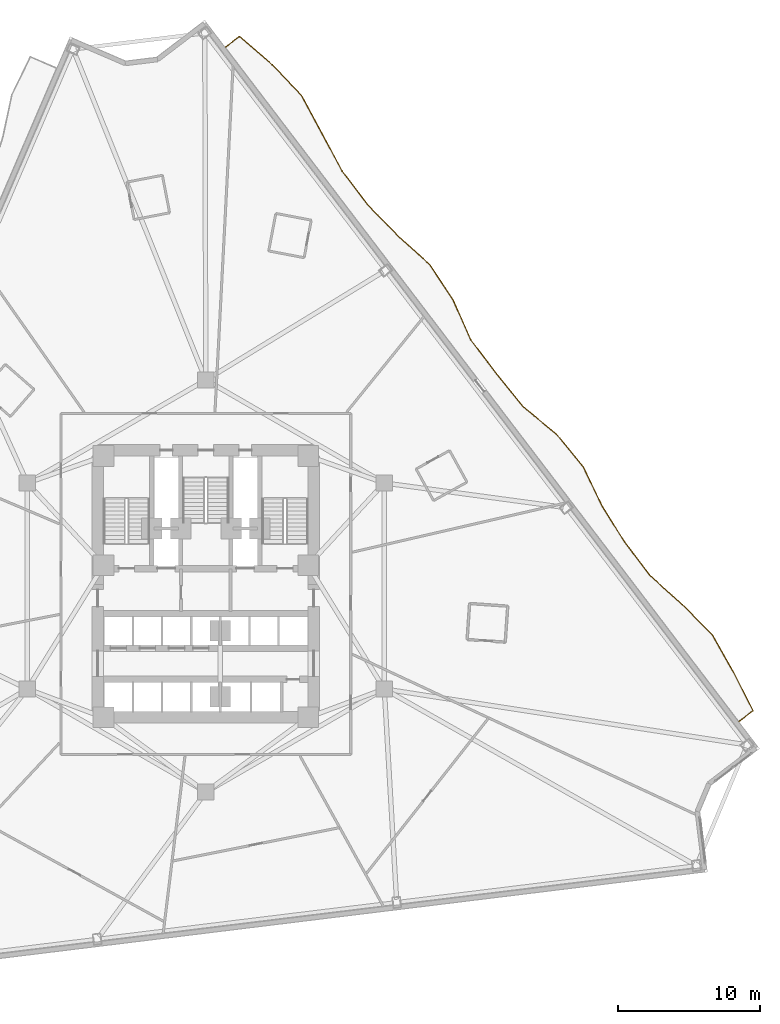
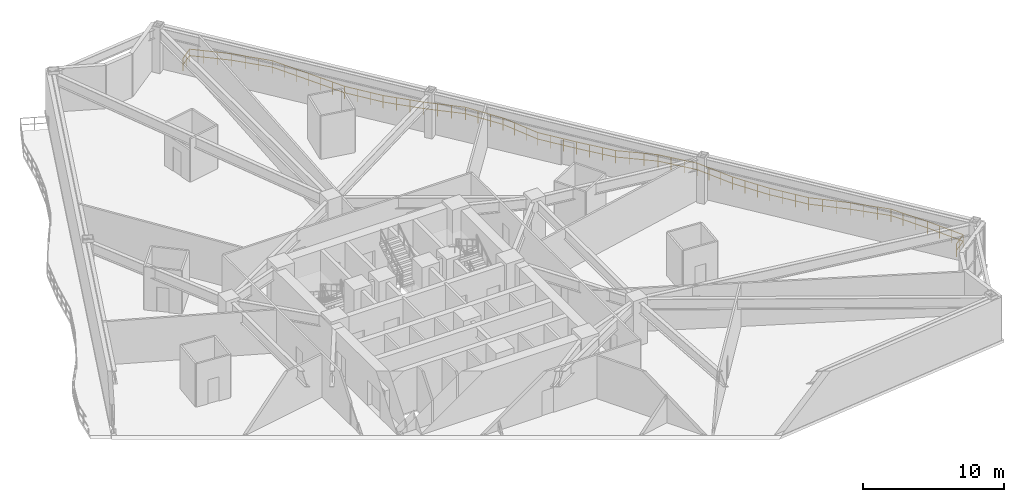
# One storey, part 14 of 14: 1 railing.
"""IFC4 building model written with IfcOpenShell, lengths in metres."""

from ifc_helpers import new_model, si_unit, direction, frame, origin, origin_2d, place, context, subcontext, project, spatial, rectangle, extrude, material, type_object, element, save


model = new_model("IFC4")

# Units and contexts
model_context = context("Model", 3, precision=1e-05, world=origin(), true_north=direction((0.0, 1.0)))
body_context = subcontext(model_context, "Body", "Model", "MODEL_VIEW")
ifc_project = project(units=[si_unit("LENGTHUNIT", "METRE"), si_unit("AREAUNIT", "SQUARE_METRE"), si_unit("VOLUMEUNIT", "CUBIC_METRE"), si_unit("PLANEANGLEUNIT", "RADIAN"), si_unit("MASSUNIT", "GRAM", prefix="KILO")], contexts=[model_context])

# Site, building, storey
site_placement = place(None, origin())
site = spatial("IfcSite", under=ifc_project, at=site_placement, CompositionType="ELEMENT")
building_placement = place(site_placement, origin())
building = spatial("IfcBuilding", under=site, at=building_placement, Name="Apsidion Concourse Tower", CompositionType="ELEMENT")
storey_placement = place(building_placement, frame((0.0, 0.0, 79.0)))
storey = spatial("IfcBuildingStorey", under=building, at=storey_placement, Name="L17", CompositionType="ELEMENT", Elevation=79.0)

# Railing
ifc_material = material(Name="Brushed stainless steel 316", Category="steel")
railing_type = type_object("IfcRailingType", Name="RL-BAL-1120", PredefinedType="BALUSTRADE", material=ifc_material)
railing_placement = place(storey_placement, frame((1.376708984375, 37.926513671875, 0.0)))
element("IfcRailing", 1, at=railing_placement, inside=storey, type_object=railing_type, Name="L17 Face 3 Rippling Balcony Balustrade", PredefinedType="BALUSTRADE", context=body_context, shape_type="SweptSolid", body=[
    extrude(rectangle(XDim=0.048095703125, YDim=0.048095703125, at=origin_2d()), frame((0.0, 0.0, 1.09619140625), z_axis=(0.795714098077, 0.605672414859, 0.0), x_axis=(-0.605672414859, 0.795714098077, 0.0)), (0.0, 0.0, 1.0), 1.25),
    extrude(rectangle(XDim=0.048095703125, YDim=0.048095703125, at=origin_2d()), frame((0.0, 0.0, 0.5361328125), z_axis=(0.795714098077, 0.605672414859, 0.0), x_axis=(-0.605672414859, 0.795714098077, 0.0)), (0.0, 0.0, 1.0), 1.25),
    extrude(rectangle(XDim=0.048095703125, YDim=0.048095703125, at=origin_2d()), frame((0.99462890625, 0.757080078125, 1.09619140625), z_axis=(0.75573930591, -0.654872584174, 0.0), x_axis=(0.654872584174, 0.75573930591, 0.0)), (0.0, 0.0, 1.0), 3.04736328125),
    extrude(rectangle(XDim=0.048095703125, YDim=0.048095703125, at=origin_2d()), frame((0.99462890625, 0.757080078125, 0.5361328125), z_axis=(0.75573930591, -0.654872584174, 0.0), x_axis=(0.654872584174, 0.75573930591, 0.0)), (0.0, 0.0, 1.0), 3.04736328125),
    extrude(rectangle(XDim=0.048095703125, YDim=0.048095703125, at=origin_2d()), frame((3.297607421875, -1.238525390625, 1.09619140625), z_axis=(0.687807846995, -0.725892805868, 0.0), x_axis=(0.725892805868, 0.687807846995, 0.0)), (0.0, 0.0, 1.0), 3.0),
    extrude(rectangle(XDim=0.048095703125, YDim=0.048095703125, at=origin_2d()), frame((3.297607421875, -1.238525390625, 0.5361328125), z_axis=(0.687807846995, -0.725892805868, 0.0), x_axis=(0.725892805868, 0.687807846995, 0.0)), (0.0, 0.0, 1.0), 3.0),
    extrude(rectangle(XDim=0.048095703125, YDim=0.048095703125, at=origin_2d()), frame((5.361083984375, -3.416259765625, 1.09619140625), z_axis=(0.47570475433, -0.879605017441, 0.0), x_axis=(0.879605017441, 0.47570475433, 0.0)), (0.0, 0.0, 1.0), 3.019287109375),
    extrude(rectangle(XDim=0.048095703125, YDim=0.048095703125, at=origin_2d()), frame((5.361083984375, -3.416259765625, 0.5361328125), z_axis=(0.47570475433, -0.879605017441, 0.0), x_axis=(0.879605017441, 0.47570475433, 0.0)), (0.0, 0.0, 1.0), 3.019287109375),
    extrude(rectangle(XDim=0.048095703125, YDim=0.048095703125, at=origin_2d()), frame((6.79736328125, -6.072021484375, 1.09619140625), z_axis=(0.472122733246, -0.881532826815, 0.0), x_axis=(0.881532826815, 0.472122733246, 0.0)), (0.0, 0.0, 1.0), 3.02099609375),
    extrude(rectangle(XDim=0.048095703125, YDim=0.048095703125, at=origin_2d()), frame((6.79736328125, -6.072021484375, 0.5361328125), z_axis=(0.472122733246, -0.881532826815, 0.0), x_axis=(0.881532826815, 0.472122733246, 0.0)), (0.0, 0.0, 1.0), 3.02099609375),
    extrude(rectangle(XDim=0.048095703125, YDim=0.048095703125, at=origin_2d()), frame((8.2236328125, -8.735107421875, 1.09619140625), z_axis=(0.605902647508, -0.795538799646, 0.0), x_axis=(0.795538799646, 0.605902647508, 0.0)), (0.0, 0.0, 1.0), 2.98291015625),
    extrude(rectangle(XDim=0.048095703125, YDim=0.048095703125, at=origin_2d()), frame((8.2236328125, -8.735107421875, 0.5361328125), z_axis=(0.605902647508, -0.795538799646, 0.0), x_axis=(0.795538799646, 0.605902647508, 0.0)), (0.0, 0.0, 1.0), 2.98291015625),
    extrude(rectangle(XDim=0.048095703125, YDim=0.048095703125, at=origin_2d()), frame((10.031005859375, -11.108154296875, 1.09619140625), z_axis=(0.697042424613, -0.717029886608, 0.0), x_axis=(0.717029886608, 0.697042424613, 0.0)), (0.0, 0.0, 1.0), 3.0048828125),
    extrude(rectangle(XDim=0.048095703125, YDim=0.048095703125, at=origin_2d()), frame((10.031005859375, -11.108154296875, 0.5361328125), z_axis=(0.697042424613, -0.717029886608, 0.0), x_axis=(0.717029886608, 0.697042424613, 0.0)), (0.0, 0.0, 1.0), 3.0048828125),
    extrude(rectangle(XDim=0.048095703125, YDim=0.048095703125, at=origin_2d()), frame((12.12548828125, -13.2626953125, 1.09619140625), z_axis=(0.742036806887, -0.67035914048, 0.0), x_axis=(0.67035914048, 0.742036806887, 0.0)), (0.0, 0.0, 1.0), 3.034912109375),
    extrude(rectangle(XDim=0.048095703125, YDim=0.048095703125, at=origin_2d()), frame((12.12548828125, -13.2626953125, 0.5361328125), z_axis=(0.742036806887, -0.67035914048, 0.0), x_axis=(0.67035914048, 0.742036806887, 0.0)), (0.0, 0.0, 1.0), 3.034912109375),
    extrude(rectangle(XDim=0.048095703125, YDim=0.048095703125, at=origin_2d()), frame((14.37744140625, -15.297119140625, 1.09619140625), z_axis=(0.551662255517, -0.834067596684, 0.0), x_axis=(0.834067596684, 0.551662255517, 0.0)), (0.0, 0.0, 1.0), 2.989501953125),
    extrude(rectangle(XDim=0.048095703125, YDim=0.048095703125, at=origin_2d()), frame((14.37744140625, -15.297119140625, 0.5361328125), z_axis=(0.551662255517, -0.834067596684, 0.0), x_axis=(0.834067596684, 0.551662255517, 0.0)), (0.0, 0.0, 1.0), 2.989501953125),
    extrude(rectangle(XDim=0.048095703125, YDim=0.048095703125, at=origin_2d()), frame((16.026611328125, -17.79052734375, 1.09619140625), z_axis=(0.404135969657, -0.914698922066, 0.0), x_axis=(0.914698922066, 0.404135969657, 0.0)), (0.0, 0.0, 1.0), 3.067138671875),
    extrude(rectangle(XDim=0.048095703125, YDim=0.048095703125, at=origin_2d()), frame((16.026611328125, -17.79052734375, 0.5361328125), z_axis=(0.404135969657, -0.914698922066, 0.0), x_axis=(0.914698922066, 0.404135969657, 0.0)), (0.0, 0.0, 1.0), 3.067138671875),
    extrude(rectangle(XDim=0.048095703125, YDim=0.048095703125, at=origin_2d()), frame((17.26611328125, -20.595947265625, 1.09619140625), z_axis=(0.603856112206, -0.797093341932, 0.0), x_axis=(0.797093341932, 0.603856112206, 0.0)), (0.0, 0.0, 1.0), 2.98291015625),
    extrude(rectangle(XDim=0.048095703125, YDim=0.048095703125, at=origin_2d()), frame((17.26611328125, -20.595947265625, 0.5361328125), z_axis=(0.603856112206, -0.797093341932, 0.0), x_axis=(0.797093341932, 0.603856112206, 0.0)), (0.0, 0.0, 1.0), 2.98291015625),
    extrude(rectangle(XDim=0.048095703125, YDim=0.048095703125, at=origin_2d()), frame((19.0673828125, -22.9736328125, 1.09619140625), z_axis=(0.629045241006, -0.777368692943, 0.0), x_axis=(0.777368692943, 0.629045241006, 0.0)), (0.0, 0.0, 1.0), 2.984130859375),
    extrude(rectangle(XDim=0.048095703125, YDim=0.048095703125, at=origin_2d()), frame((19.0673828125, -22.9736328125, 0.5361328125), z_axis=(0.629045241006, -0.777368692943, 0.0), x_axis=(0.777368692943, 0.629045241006, 0.0)), (0.0, 0.0, 1.0), 2.984130859375),
    extrude(rectangle(XDim=0.048095703125, YDim=0.048095703125, at=origin_2d()), frame((20.944580078125, -25.29345703125, 1.09619140625), z_axis=(0.770737099773, -0.637153296338, 0.0), x_axis=(0.637153296338, 0.770737099773, 0.0)), (0.0, 0.0, 1.0), 3.06298828125),
    extrude(rectangle(XDim=0.048095703125, YDim=0.048095703125, at=origin_2d()), frame((20.944580078125, -25.29345703125, 0.5361328125), z_axis=(0.770737099773, -0.637153296338, 0.0), x_axis=(0.637153296338, 0.770737099773, 0.0)), (0.0, 0.0, 1.0), 3.06298828125),
    extrude(rectangle(XDim=0.048095703125, YDim=0.048095703125, at=origin_2d()), frame((23.305419921875, -27.2451171875, 1.09619140625), z_axis=(0.633344685626, -0.773869827031, 0.0), x_axis=(0.773869827031, 0.633344685626, 0.0)), (0.0, 0.0, 1.0), 2.98486328125),
    extrude(rectangle(XDim=0.048095703125, YDim=0.048095703125, at=origin_2d()), frame((23.305419921875, -27.2451171875, 0.5361328125), z_axis=(0.633344685626, -0.773869827031, 0.0), x_axis=(0.773869827031, 0.633344685626, 0.0)), (0.0, 0.0, 1.0), 2.98486328125),
    extrude(rectangle(XDim=0.048095703125, YDim=0.048095703125, at=origin_2d()), frame((25.19580078125, -29.554931640625, 1.09619140625), z_axis=(0.432983853981, -0.901401676386, 0.0), x_axis=(0.901401676386, 0.432983853981, 0.0)), (0.0, 0.0, 1.0), 3.04541015625),
    extrude(rectangle(XDim=0.048095703125, YDim=0.048095703125, at=origin_2d()), frame((25.19580078125, -29.554931640625, 0.5361328125), z_axis=(0.432983853981, -0.901401676386, 0.0), x_axis=(0.901401676386, 0.432983853981, 0.0)), (0.0, 0.0, 1.0), 3.04541015625),
    extrude(rectangle(XDim=0.048095703125, YDim=0.048095703125, at=origin_2d()), frame((26.514404296875, -32.300048828125, 1.09619140625), z_axis=(0.530584902819, -0.847631795593, 0.0), x_axis=(0.847631795593, 0.530584902819, 0.0)), (0.0, 0.0, 1.0), 2.995361328125),
    extrude(rectangle(XDim=0.048095703125, YDim=0.048095703125, at=origin_2d()), frame((26.514404296875, -32.300048828125, 0.5361328125), z_axis=(0.530584902819, -0.847631795593, 0.0), x_axis=(0.847631795593, 0.530584902819, 0.0)), (0.0, 0.0, 1.0), 2.995361328125),
    extrude(rectangle(XDim=0.048095703125, YDim=0.048095703125, at=origin_2d()), frame((28.103759765625, -34.839111328125, 1.09619140625), z_axis=(0.605902647508, -0.795538799646, 0.0), x_axis=(0.795538799646, 0.605902647508, 0.0)), (0.0, 0.0, 1.0), 2.98291015625),
    extrude(rectangle(XDim=0.048095703125, YDim=0.048095703125, at=origin_2d()), frame((28.103759765625, -34.839111328125, 0.5361328125), z_axis=(0.605902647508, -0.795538799646, 0.0), x_axis=(0.795538799646, 0.605902647508, 0.0)), (0.0, 0.0, 1.0), 2.98291015625),
    extrude(rectangle(XDim=0.048095703125, YDim=0.048095703125, at=origin_2d()), frame((29.9111328125, -37.212158203125, 1.09619140625), z_axis=(0.742413608308, -0.66994181404, 0.0), x_axis=(0.66994181404, 0.742413608308, 0.0)), (0.0, 0.0, 1.0), 3.03515625),
    extrude(rectangle(XDim=0.048095703125, YDim=0.048095703125, at=origin_2d()), frame((29.9111328125, -37.212158203125, 0.5361328125), z_axis=(0.742413608308, -0.66994181404, 0.0), x_axis=(0.66994181404, 0.742413608308, 0.0)), (0.0, 0.0, 1.0), 3.03515625),
    extrude(rectangle(XDim=0.048095703125, YDim=0.048095703125, at=origin_2d()), frame((32.16455078125, -39.24560546875, 1.09619140625), z_axis=(0.703730656507, -0.710466862768, 0.0), x_axis=(0.710466862768, 0.703730656507, 0.0)), (0.0, 0.0, 1.0), 3.008056640625),
    extrude(rectangle(XDim=0.048095703125, YDim=0.048095703125, at=origin_2d()), frame((32.16455078125, -39.24560546875, 0.5361328125), z_axis=(0.703730656507, -0.710466862768, 0.0), x_axis=(0.710466862768, 0.703730656507, 0.0)), (0.0, 0.0, 1.0), 3.008056640625),
    extrude(rectangle(XDim=0.048095703125, YDim=0.048095703125, at=origin_2d()), frame((34.281494140625, -41.3828125, 1.09619140625), z_axis=(0.493254013229, -0.869885324875, 0.0), x_axis=(0.869885324875, 0.493254013229, 0.0)), (0.0, 0.0, 1.0), 3.01025390625),
    extrude(rectangle(XDim=0.048095703125, YDim=0.048095703125, at=origin_2d()), frame((34.281494140625, -41.3828125, 0.5361328125), z_axis=(0.493254013229, -0.869885324875, 0.0), x_axis=(0.869885324875, 0.493254013229, 0.0)), (0.0, 0.0, 1.0), 3.01025390625),
    extrude(rectangle(XDim=0.048095703125, YDim=0.048095703125, at=origin_2d()), frame((35.766357421875, -44.00146484375, 1.09619140625), z_axis=(0.453065583312, -0.891477188277, 0.0), x_axis=(0.891477188277, 0.453065583312, 0.0)), (0.0, 0.0, 1.0), 3.0322265625),
    extrude(rectangle(XDim=0.048095703125, YDim=0.048095703125, at=origin_2d()), frame((35.766357421875, -44.00146484375, 0.5361328125), z_axis=(0.453065583312, -0.891477188277, 0.0), x_axis=(0.891477188277, 0.453065583312, 0.0)), (0.0, 0.0, 1.0), 3.0322265625),
    extrude(rectangle(XDim=0.048095703125, YDim=0.048095703125, at=origin_2d()), frame((37.14013671875, -46.70458984375, 1.09619140625), z_axis=(-0.795548282265, -0.605890196805, 0.0), x_axis=(0.605890196805, -0.795548282265, 0.0)), (0.0, 0.0, 1.0), 1.25),
    extrude(rectangle(XDim=0.048095703125, YDim=0.048095703125, at=origin_2d()), frame((37.14013671875, -46.70458984375, 0.5361328125), z_axis=(-0.795548282265, -0.605890196805, 0.0), x_axis=(0.605890196805, -0.795548282265, 0.0)), (0.0, 0.0, 1.0), 1.25),
    extrude(rectangle(XDim=0.0419921875, YDim=0.0419921875, at=origin_2d()), origin(), (0.0, 0.0, 1.0), 1.072021484375),
    extrude(rectangle(XDim=0.0419921875, YDim=0.0419921875, at=origin_2d()), frame((0.497314453125, 0.37841796875, 0.0)), (0.0, 0.0, 1.0), 1.072021484375),
    extrude(rectangle(XDim=0.0419921875, YDim=0.0419921875, at=origin_2d()), frame((0.99462890625, 0.757080078125, 0.0)), (0.0, 0.0, 1.0), 1.072021484375),
    extrude(rectangle(XDim=0.0419921875, YDim=0.0419921875, at=origin_2d()), frame((1.76220703125, 0.091796875, 0.0)), (0.0, 0.0, 1.0), 1.072021484375),
    extrude(rectangle(XDim=0.0419921875, YDim=0.0419921875, at=origin_2d()), frame((2.530029296875, -0.5732421875, 0.0)), (0.0, 0.0, 1.0), 1.072021484375),
    extrude(rectangle(XDim=0.0419921875, YDim=0.0419921875, at=origin_2d()), frame((3.297607421875, -1.238525390625, 0.0)), (0.0, 0.0, 1.0), 1.072021484375),
    extrude(rectangle(XDim=0.0419921875, YDim=0.0419921875, at=origin_2d()), frame((3.9853515625, -1.96435546875, 0.0)), (0.0, 0.0, 1.0), 1.072021484375),
    extrude(rectangle(XDim=0.0419921875, YDim=0.0419921875, at=origin_2d()), frame((4.67333984375, -2.6904296875, 0.0)), (0.0, 0.0, 1.0), 1.072021484375),
    extrude(rectangle(XDim=0.0419921875, YDim=0.0419921875, at=origin_2d()), frame((5.361083984375, -3.416259765625, 0.0)), (0.0, 0.0, 1.0), 1.072021484375),
    extrude(rectangle(XDim=0.0419921875, YDim=0.0419921875, at=origin_2d()), frame((5.83984375, -4.301513671875, 0.0)), (0.0, 0.0, 1.0), 1.072021484375),
    extrude(rectangle(XDim=0.0419921875, YDim=0.0419921875, at=origin_2d()), frame((6.318603515625, -5.186767578125, 0.0)), (0.0, 0.0, 1.0), 1.072021484375),
    extrude(rectangle(XDim=0.0419921875, YDim=0.0419921875, at=origin_2d()), frame((6.79736328125, -6.072021484375, 0.0)), (0.0, 0.0, 1.0), 1.072021484375),
    extrude(rectangle(XDim=0.0419921875, YDim=0.0419921875, at=origin_2d()), frame((7.272705078125, -6.959716796875, 0.0)), (0.0, 0.0, 1.0), 1.072021484375),
    extrude(rectangle(XDim=0.0419921875, YDim=0.0419921875, at=origin_2d()), frame((7.748291015625, -7.847412109375, 0.0)), (0.0, 0.0, 1.0), 1.072021484375),
    extrude(rectangle(XDim=0.0419921875, YDim=0.0419921875, at=origin_2d()), frame((8.2236328125, -8.735107421875, 0.0)), (0.0, 0.0, 1.0), 1.072021484375),
    extrude(rectangle(XDim=0.0419921875, YDim=0.0419921875, at=origin_2d()), frame((8.826171875, -9.526123046875, 0.0)), (0.0, 0.0, 1.0), 1.072021484375),
    extrude(rectangle(XDim=0.0419921875, YDim=0.0419921875, at=origin_2d()), frame((9.428466796875, -10.317138671875, 0.0)), (0.0, 0.0, 1.0), 1.072021484375),
    extrude(rectangle(XDim=0.0419921875, YDim=0.0419921875, at=origin_2d()), frame((10.031005859375, -11.108154296875, 0.0)), (0.0, 0.0, 1.0), 1.072021484375),
    extrude(rectangle(XDim=0.0419921875, YDim=0.0419921875, at=origin_2d()), frame((10.729248046875, -11.826416015625, 0.0)), (0.0, 0.0, 1.0), 1.072021484375),
    extrude(rectangle(XDim=0.0419921875, YDim=0.0419921875, at=origin_2d()), frame((11.42724609375, -12.54443359375, 0.0)), (0.0, 0.0, 1.0), 1.072021484375),
    extrude(rectangle(XDim=0.0419921875, YDim=0.0419921875, at=origin_2d()), frame((12.12548828125, -13.2626953125, 0.0)), (0.0, 0.0, 1.0), 1.072021484375),
    extrude(rectangle(XDim=0.0419921875, YDim=0.0419921875, at=origin_2d()), frame((12.876220703125, -13.94091796875, 0.0)), (0.0, 0.0, 1.0), 1.072021484375),
    extrude(rectangle(XDim=0.0419921875, YDim=0.0419921875, at=origin_2d()), frame((13.626708984375, -14.618896484375, 0.0)), (0.0, 0.0, 1.0), 1.072021484375),
    extrude(rectangle(XDim=0.0419921875, YDim=0.0419921875, at=origin_2d()), frame((14.37744140625, -15.297119140625, 0.0)), (0.0, 0.0, 1.0), 1.072021484375),
    extrude(rectangle(XDim=0.0419921875, YDim=0.0419921875, at=origin_2d()), frame((14.92724609375, -16.128173828125, 0.0)), (0.0, 0.0, 1.0), 1.072021484375),
    extrude(rectangle(XDim=0.0419921875, YDim=0.0419921875, at=origin_2d()), frame((15.476806640625, -16.95947265625, 0.0)), (0.0, 0.0, 1.0), 1.072021484375),
    extrude(rectangle(XDim=0.0419921875, YDim=0.0419921875, at=origin_2d()), frame((16.026611328125, -17.79052734375, 0.0)), (0.0, 0.0, 1.0), 1.072021484375),
    extrude(rectangle(XDim=0.0419921875, YDim=0.0419921875, at=origin_2d()), frame((16.439697265625, -18.7255859375, 0.0)), (0.0, 0.0, 1.0), 1.072021484375),
    extrude(rectangle(XDim=0.0419921875, YDim=0.0419921875, at=origin_2d()), frame((16.85302734375, -19.660888671875, 0.0)), (0.0, 0.0, 1.0), 1.072021484375),
    extrude(rectangle(XDim=0.0419921875, YDim=0.0419921875, at=origin_2d()), frame((17.26611328125, -20.595947265625, 0.0)), (0.0, 0.0, 1.0), 1.072021484375),
    extrude(rectangle(XDim=0.0419921875, YDim=0.0419921875, at=origin_2d()), frame((17.866455078125, -21.388427734375, 0.0)), (0.0, 0.0, 1.0), 1.072021484375),
    extrude(rectangle(XDim=0.0419921875, YDim=0.0419921875, at=origin_2d()), frame((18.467041015625, -22.18115234375, 0.0)), (0.0, 0.0, 1.0), 1.072021484375),
    extrude(rectangle(XDim=0.0419921875, YDim=0.0419921875, at=origin_2d()), frame((19.0673828125, -22.9736328125, 0.0)), (0.0, 0.0, 1.0), 1.072021484375),
    extrude(rectangle(XDim=0.0419921875, YDim=0.0419921875, at=origin_2d()), frame((19.693115234375, -23.746826171875, 0.0)), (0.0, 0.0, 1.0), 1.072021484375),
    extrude(rectangle(XDim=0.0419921875, YDim=0.0419921875, at=origin_2d()), frame((20.31884765625, -24.520263671875, 0.0)), (0.0, 0.0, 1.0), 1.072021484375),
    extrude(rectangle(XDim=0.0419921875, YDim=0.0419921875, at=origin_2d()), frame((20.944580078125, -25.29345703125, 0.0)), (0.0, 0.0, 1.0), 1.072021484375),
    extrude(rectangle(XDim=0.0419921875, YDim=0.0419921875, at=origin_2d()), frame((21.7314453125, -25.944091796875, 0.0)), (0.0, 0.0, 1.0), 1.072021484375),
    extrude(rectangle(XDim=0.0419921875, YDim=0.0419921875, at=origin_2d()), frame((22.5185546875, -26.594482421875, 0.0)), (0.0, 0.0, 1.0), 1.072021484375),
    extrude(rectangle(XDim=0.0419921875, YDim=0.0419921875, at=origin_2d()), frame((23.305419921875, -27.2451171875, 0.0)), (0.0, 0.0, 1.0), 1.072021484375),
    extrude(rectangle(XDim=0.0419921875, YDim=0.0419921875, at=origin_2d()), frame((23.935546875, -28.01513671875, 0.0)), (0.0, 0.0, 1.0), 1.072021484375),
    extrude(rectangle(XDim=0.0419921875, YDim=0.0419921875, at=origin_2d()), frame((24.565673828125, -28.784912109375, 0.0)), (0.0, 0.0, 1.0), 1.072021484375),
    extrude(rectangle(XDim=0.0419921875, YDim=0.0419921875, at=origin_2d()), frame((25.19580078125, -29.554931640625, 0.0)), (0.0, 0.0, 1.0), 1.072021484375),
    extrude(rectangle(XDim=0.0419921875, YDim=0.0419921875, at=origin_2d()), frame((25.63525390625, -30.469970703125, 0.0)), (0.0, 0.0, 1.0), 1.072021484375),
    extrude(rectangle(XDim=0.0419921875, YDim=0.0419921875, at=origin_2d()), frame((26.074951171875, -31.385009765625, 0.0)), (0.0, 0.0, 1.0), 1.072021484375),
    extrude(rectangle(XDim=0.0419921875, YDim=0.0419921875, at=origin_2d()), frame((26.514404296875, -32.300048828125, 0.0)), (0.0, 0.0, 1.0), 1.072021484375),
    extrude(rectangle(XDim=0.0419921875, YDim=0.0419921875, at=origin_2d()), frame((27.044189453125, -33.146484375, 0.0)), (0.0, 0.0, 1.0), 1.072021484375),
    extrude(rectangle(XDim=0.0419921875, YDim=0.0419921875, at=origin_2d()), frame((27.573974609375, -33.99267578125, 0.0)), (0.0, 0.0, 1.0), 1.072021484375),
    extrude(rectangle(XDim=0.0419921875, YDim=0.0419921875, at=origin_2d()), frame((28.103759765625, -34.839111328125, 0.0)), (0.0, 0.0, 1.0), 1.072021484375),
    extrude(rectangle(XDim=0.0419921875, YDim=0.0419921875, at=origin_2d()), frame((28.706298828125, -35.630126953125, 0.0)), (0.0, 0.0, 1.0), 1.072021484375),
    extrude(rectangle(XDim=0.0419921875, YDim=0.0419921875, at=origin_2d()), frame((29.30859375, -36.421142578125, 0.0)), (0.0, 0.0, 1.0), 1.072021484375),
    extrude(rectangle(XDim=0.0419921875, YDim=0.0419921875, at=origin_2d()), frame((29.9111328125, -37.212158203125, 0.0)), (0.0, 0.0, 1.0), 1.072021484375),
    extrude(rectangle(XDim=0.0419921875, YDim=0.0419921875, at=origin_2d()), frame((30.662353515625, -37.889892578125, 0.0)), (0.0, 0.0, 1.0), 1.072021484375),
    extrude(rectangle(XDim=0.0419921875, YDim=0.0419921875, at=origin_2d()), frame((31.413330078125, -38.56787109375, 0.0)), (0.0, 0.0, 1.0), 1.072021484375),
    extrude(rectangle(XDim=0.0419921875, YDim=0.0419921875, at=origin_2d()), frame((32.16455078125, -39.24560546875, 0.0)), (0.0, 0.0, 1.0), 1.072021484375),
    extrude(rectangle(XDim=0.0419921875, YDim=0.0419921875, at=origin_2d()), frame((32.8701171875, -39.9580078125, 0.0)), (0.0, 0.0, 1.0), 1.072021484375),
    extrude(rectangle(XDim=0.0419921875, YDim=0.0419921875, at=origin_2d()), frame((33.575927734375, -40.67041015625, 0.0)), (0.0, 0.0, 1.0), 1.072021484375),
    extrude(rectangle(XDim=0.0419921875, YDim=0.0419921875, at=origin_2d()), frame((34.281494140625, -41.3828125, 0.0)), (0.0, 0.0, 1.0), 1.072021484375),
    extrude(rectangle(XDim=0.0419921875, YDim=0.0419921875, at=origin_2d()), frame((34.7763671875, -42.255615234375, 0.0)), (0.0, 0.0, 1.0), 1.072021484375),
    extrude(rectangle(XDim=0.0419921875, YDim=0.0419921875, at=origin_2d()), frame((35.271484375, -43.128662109375, 0.0)), (0.0, 0.0, 1.0), 1.072021484375),
    extrude(rectangle(XDim=0.0419921875, YDim=0.0419921875, at=origin_2d()), frame((35.766357421875, -44.00146484375, 0.0)), (0.0, 0.0, 1.0), 1.072021484375),
    extrude(rectangle(XDim=0.0419921875, YDim=0.0419921875, at=origin_2d()), frame((36.224365234375, -44.902587890625, 0.0)), (0.0, 0.0, 1.0), 1.072021484375),
    extrude(rectangle(XDim=0.0419921875, YDim=0.0419921875, at=origin_2d()), frame((36.68212890625, -45.803466796875, 0.0)), (0.0, 0.0, 1.0), 1.072021484375),
    extrude(rectangle(XDim=0.0419921875, YDim=0.0419921875, at=origin_2d()), frame((37.14013671875, -46.70458984375, 0.0)), (0.0, 0.0, 1.0), 1.072021484375),
    extrude(rectangle(XDim=0.0419921875, YDim=0.0419921875, at=origin_2d()), frame((36.64306640625, -47.083251953125, 0.0)), (0.0, 0.0, 1.0), 1.072021484375),
    extrude(rectangle(XDim=0.0419921875, YDim=0.0419921875, at=origin_2d()), frame((36.145751953125, -47.4619140625, 0.0)), (0.0, 0.0, 1.0), 1.072021484375),
])

save(model, "model.ifc")
